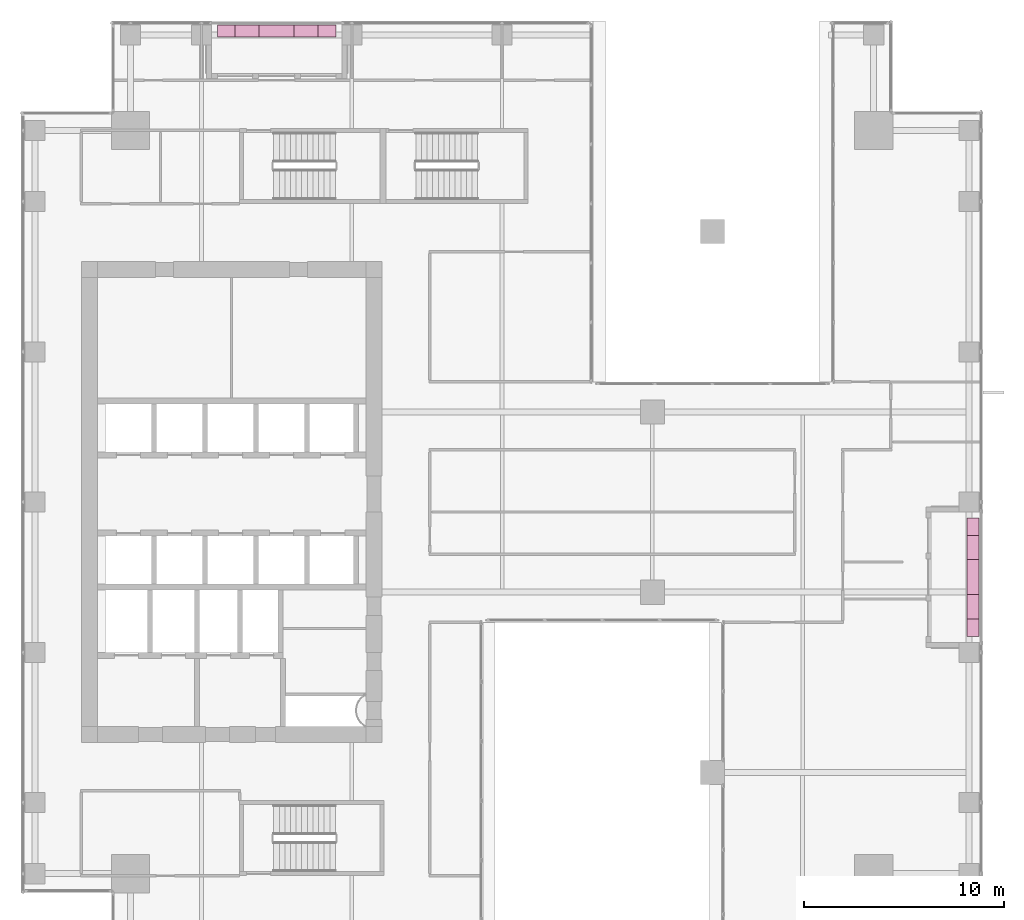
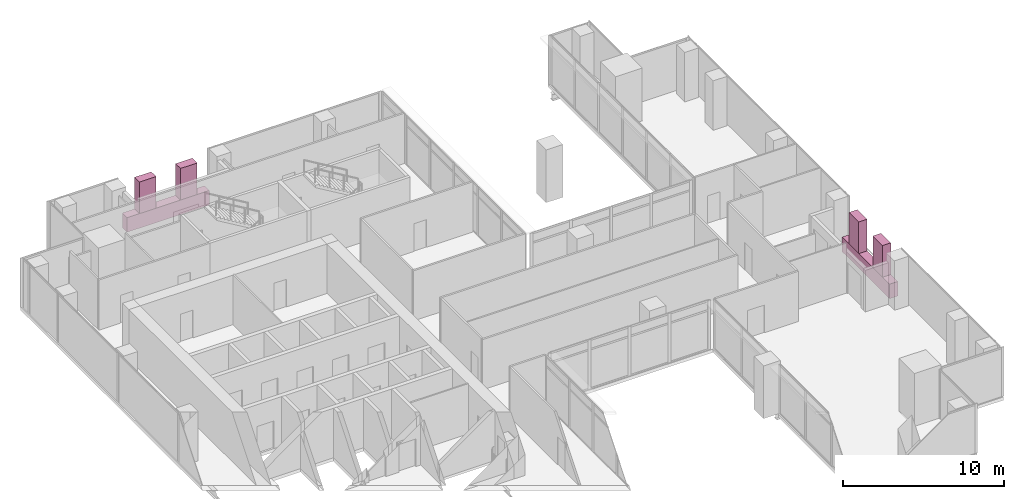
# One storey, part 37 of 37: 6 furnishings.
"""IFC4 building model written with IfcOpenShell, lengths in metres."""

from ifc_helpers import new_model, si_unit, direction, frame, origin, origin_2d, place, context, subcontext, project, spatial, rectangle, extrude, source, transform, mapped, material, type_object, element, save


model = new_model("IFC4")

# Units and contexts
model_context = context("Model", 3, precision=1e-05, world=origin(), true_north=direction((0.0, 1.0)))
body_context = subcontext(model_context, "Body", "Model", "MODEL_VIEW")
ifc_project = project(units=[si_unit("LENGTHUNIT", "METRE"), si_unit("AREAUNIT", "SQUARE_METRE"), si_unit("VOLUMEUNIT", "CUBIC_METRE"), si_unit("PLANEANGLEUNIT", "RADIAN"), si_unit("MASSUNIT", "GRAM", prefix="KILO")], contexts=[model_context])

# Site, building, storey
site_placement = place(None, origin())
site = spatial("IfcSite", under=ifc_project, at=site_placement, CompositionType="ELEMENT")
building_placement = place(site_placement, origin())
building = spatial("IfcBuilding", under=site, at=building_placement, Name="Khomas Fold Tower", CompositionType="ELEMENT")
storey_placement = place(building_placement, frame((0.0, 0.0, 168.699951171875)))
storey = spatial("IfcBuildingStorey", under=building, at=storey_placement, Name="L36", CompositionType="ELEMENT", Elevation=168.699951171875)

# Furnishings
ifc_material_1 = material(Name="Precast concrete C40/50", Category="concrete")
furnishing_element_type_1 = type_object("IfcFurnishingElementType", Name="BL-Structural planter box", material=ifc_material_1)
shared_shape_1 = source(origin(), body_context, "Body", "SweptSolid", [
    extrude(rectangle(XDim=5.89990234375, YDim=0.60009765625, at=origin_2d()), origin(), (0.0, 0.0, 1.0), 1.10009765625),
])
for number, where, z_axis, x_axis, name in (
    (1, (15.75, 50.5, -0.044921875), (0.0, 0.0, 1.0), (1.0, 0.0, 0.0), "PLANTER BAL-L36-N1"),
    (2, (50.5, 23.25, -0.044921875), (0.0, 0.0, 1.0), (0.0, 1.0, 0.0), "PLANTER BAL-L36-E2"),
):
    element("IfcFurnishingElement", number, at=place(storey_placement, frame(where, z_axis=z_axis, x_axis=x_axis)), inside=storey, type_object=furnishing_element_type_1, Name=name, context=body_context, shape_type="MappedRepresentation", body=[
        mapped(shared_shape_1, transform((0.0, 0.0, 0.0))),
    ])
ifc_material_2 = material(Name="Planting")
furnishing_element_type_2 = type_object("IfcFurnishingElementType", Name="BL-Tree Shepherd's tree", material=ifc_material_2)
shared_shape_2 = source(origin(), body_context, "Body", "SweptSolid", [
    extrude(rectangle(XDim=1.199951171875, YDim=0.60009765625, at=origin_2d()), origin(), (0.0, 0.0, 1.0), 2.39501953125),
])
furnishing_1_placement = place(storey_placement, frame((14.27490234375, 50.5, 1.054931640625), z_axis=(0.0, 0.0, 1.0), x_axis=(1.0, 0.0, 0.0)))
element("IfcFurnishingElement", 3, at=furnishing_1_placement, inside=storey, type_object=furnishing_element_type_2, Name="PLANTER (TREE) Shepherd's tree BAL-L36-N1-1", context=body_context, shape_type="MappedRepresentation", body=[
    mapped(shared_shape_2, transform((0.0, 0.0, 0.0))),
])
ifc_material_3 = material(Name="Planting")
furnishing_element_type_3 = type_object("IfcFurnishingElementType", Name="BL-Tree Karee", material=ifc_material_3)
furnishing_2_placement = place(storey_placement, frame((17.22509765625, 50.5, 1.054931640625), z_axis=(0.0, 0.0, 1.0), x_axis=(1.0, 0.0, 0.0)))
element("IfcFurnishingElement", 4, at=furnishing_2_placement, inside=storey, type_object=furnishing_element_type_3, Name="PLANTER (TREE) Karee BAL-L36-N1-2", context=body_context, shape_type="MappedRepresentation", body=[
    mapped(shared_shape_2, transform((0.0, 0.0, 0.0))),
])
furnishing_3_placement = place(storey_placement, frame((50.5, 21.77490234375, 1.054931640625), z_axis=(0.0, 0.0, 1.0), x_axis=(0.0, 1.0, 0.0)))
element("IfcFurnishingElement", 5, at=furnishing_3_placement, inside=storey, type_object=furnishing_element_type_2, Name="PLANTER (TREE) Shepherd's tree BAL-L36-E2-1", context=body_context, shape_type="MappedRepresentation", body=[
    mapped(shared_shape_2, transform((0.0, 0.0, 0.0))),
])
furnishing_4_placement = place(storey_placement, frame((50.5, 24.72509765625, 1.054931640625), z_axis=(0.0, 0.0, 1.0), x_axis=(0.0, 1.0, 0.0)))
element("IfcFurnishingElement", 6, at=furnishing_4_placement, inside=storey, type_object=furnishing_element_type_3, Name="PLANTER (TREE) Karee BAL-L36-E2-2", context=body_context, shape_type="MappedRepresentation", body=[
    mapped(shared_shape_2, transform((0.0, 0.0, 0.0))),
])

save(model, "model.ifc")
